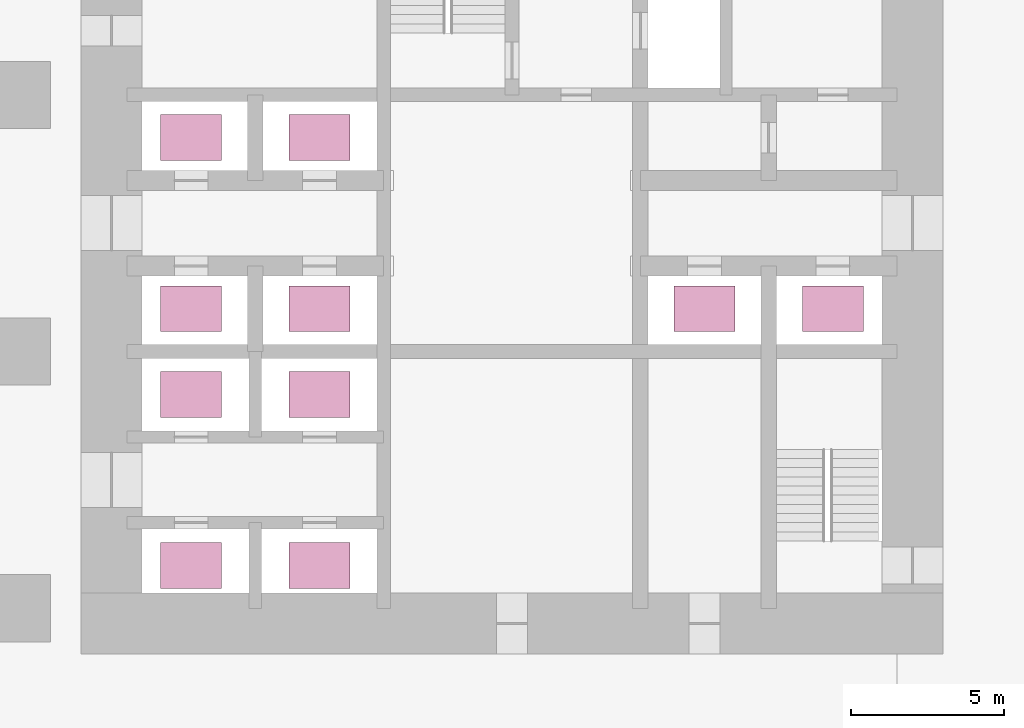
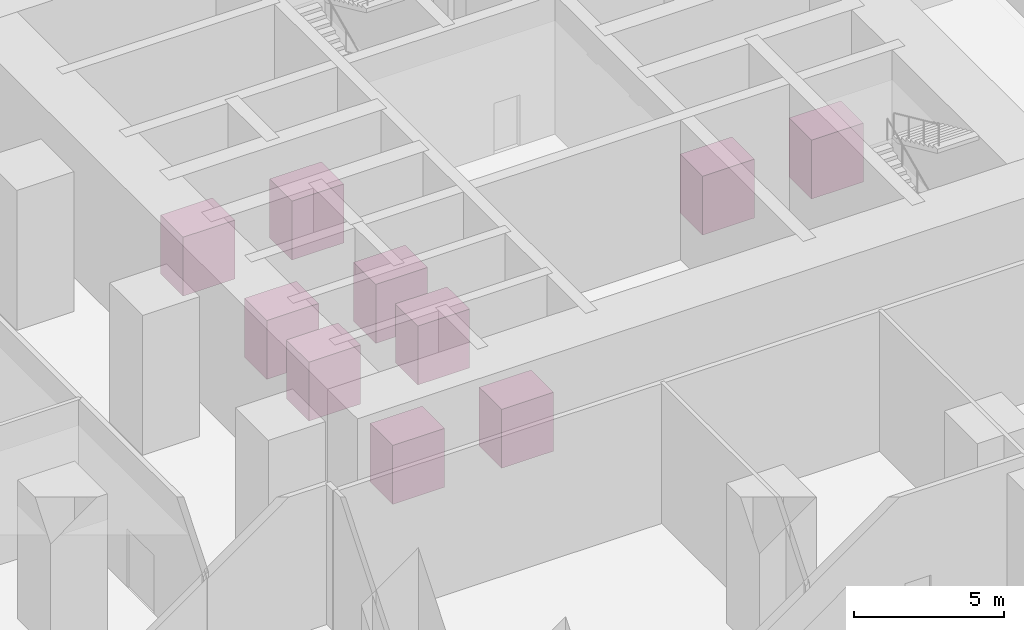
# One storey, part 26 of 26: 10 transport elements.
"""IFC4 building model written with IfcOpenShell, lengths in metres."""

from ifc_helpers import new_model, si_unit, direction, frame, origin, origin_2d, place, context, subcontext, project, spatial, rectangle, extrude, material, type_object, element, save


model = new_model("IFC4")

# Units and contexts
model_context = context("Model", 3, precision=1e-05, world=origin(), true_north=direction((0.0, 1.0)))
body_context = subcontext(model_context, "Body", "Model", "MODEL_VIEW")
ifc_project = project(units=[si_unit("LENGTHUNIT", "METRE"), si_unit("AREAUNIT", "SQUARE_METRE"), si_unit("VOLUMEUNIT", "CUBIC_METRE"), si_unit("PLANEANGLEUNIT", "RADIAN"), si_unit("MASSUNIT", "GRAM", prefix="KILO")], contexts=[model_context])

# Site, building, storey
site_placement = place(None, origin())
site = spatial("IfcSite", under=ifc_project, at=site_placement, CompositionType="ELEMENT")
building_placement = place(site_placement, origin())
building = spatial("IfcBuilding", under=site, at=building_placement, Name="Dunama Terrace Hotel", CompositionType="ELEMENT")
storey_placement = place(building_placement, origin())
storey = spatial("IfcBuildingStorey", under=building, at=storey_placement, Name="L00", CompositionType="ELEMENT", Elevation=0.0)

# Transport elements
ifc_material = material(Name="Passenger lift car")
transport_element_type = type_object("IfcTransportElementType", Name="Passenger lift 1600 kg", PredefinedType="ELEVATOR", material=ifc_material)
transport_element_1_placement = place(storey_placement, origin())
element("IfcTransportElement", 1, at=transport_element_1_placement, inside=storey, type_object=transport_element_type, Name="Lift PA1, type PL", PredefinedType="ELEVATOR", context=body_context, shape_type="SweptSolid", body=[
    extrude(rectangle(XDim=2.0, YDim=1.5, at=origin_2d()), frame((18.89990234375, 26.60009765625, 0.0), z_axis=(0.0, 0.0, 1.0), x_axis=(1.0, 0.0, 0.0)), (0.0, 0.0, 1.0), 2.39990234375),
])
transport_element_2_placement = place(storey_placement, origin())
element("IfcTransportElement", 2, at=transport_element_2_placement, inside=storey, type_object=transport_element_type, Name="Lift PA2, type PL", PredefinedType="ELEVATOR", context=body_context, shape_type="SweptSolid", body=[
    extrude(rectangle(XDim=2.0, YDim=1.5, at=origin_2d()), frame((23.10009765625, 26.60009765625, 0.0), z_axis=(0.0, 0.0, 1.0), x_axis=(1.0, 0.0, 0.0)), (0.0, 0.0, 1.0), 2.39990234375),
])
transport_element_3_placement = place(storey_placement, origin())
element("IfcTransportElement", 3, at=transport_element_3_placement, inside=storey, type_object=transport_element_type, Name="Lift PA3, type PL", PredefinedType="ELEVATOR", context=body_context, shape_type="SweptSolid", body=[
    extrude(rectangle(XDim=2.0, YDim=1.5, at=origin_2d()), frame((18.89990234375, 32.199951171875, 0.0), z_axis=(0.0, 0.0, 1.0), x_axis=(1.0, 0.0, 0.0)), (0.0, 0.0, 1.0), 2.39990234375),
])
transport_element_4_placement = place(storey_placement, origin())
element("IfcTransportElement", 4, at=transport_element_4_placement, inside=storey, type_object=transport_element_type, Name="Lift PA4, type PL", PredefinedType="ELEVATOR", context=body_context, shape_type="SweptSolid", body=[
    extrude(rectangle(XDim=2.0, YDim=1.5, at=origin_2d()), frame((23.10009765625, 32.199951171875, 0.0), z_axis=(0.0, 0.0, 1.0), x_axis=(1.0, 0.0, 0.0)), (0.0, 0.0, 1.0), 2.39990234375),
])
transport_element_5_placement = place(storey_placement, origin())
element("IfcTransportElement", 5, at=transport_element_5_placement, inside=storey, type_object=transport_element_type, Name="Lift PB1, type PL", PredefinedType="ELEVATOR", context=body_context, shape_type="SweptSolid", body=[
    extrude(rectangle(XDim=2.0, YDim=1.5, at=origin_2d()), frame((35.699951171875, 26.60009765625, 0.0), z_axis=(0.0, 0.0, 1.0), x_axis=(1.0, 0.0, 0.0)), (0.0, 0.0, 1.0), 2.39990234375),
])
transport_element_6_placement = place(storey_placement, origin())
element("IfcTransportElement", 6, at=transport_element_6_placement, inside=storey, type_object=transport_element_type, Name="Lift PB2, type PL", PredefinedType="ELEVATOR", context=body_context, shape_type="SweptSolid", body=[
    extrude(rectangle(XDim=2.0, YDim=1.5, at=origin_2d()), frame((39.89990234375, 26.60009765625, 0.0), z_axis=(0.0, 0.0, 1.0), x_axis=(1.0, 0.0, 0.0)), (0.0, 0.0, 1.0), 2.39990234375),
])
transport_element_7_placement = place(storey_placement, origin())
element("IfcTransportElement", 7, at=transport_element_7_placement, inside=storey, type_object=transport_element_type, Name="Lift PS1, type PL", PredefinedType="ELEVATOR", context=body_context, shape_type="SweptSolid", body=[
    extrude(rectangle(XDim=2.0, YDim=1.5, at=origin_2d()), frame((18.89990234375, 18.199951171875, 0.0), z_axis=(0.0, 0.0, 1.0), x_axis=(1.0, 0.0, 0.0)), (0.0, 0.0, 1.0), 2.39990234375),
])
transport_element_8_placement = place(storey_placement, origin())
element("IfcTransportElement", 8, at=transport_element_8_placement, inside=storey, type_object=transport_element_type, Name="Lift PS2, type PL", PredefinedType="ELEVATOR", context=body_context, shape_type="SweptSolid", body=[
    extrude(rectangle(XDim=2.0, YDim=1.5, at=origin_2d()), frame((23.10009765625, 18.199951171875, 0.0), z_axis=(0.0, 0.0, 1.0), x_axis=(1.0, 0.0, 0.0)), (0.0, 0.0, 1.0), 2.39990234375),
])
transport_element_9_placement = place(storey_placement, origin())
element("IfcTransportElement", 9, at=transport_element_9_placement, inside=storey, type_object=transport_element_type, Name="Lift PS3, type PL", PredefinedType="ELEVATOR", context=body_context, shape_type="SweptSolid", body=[
    extrude(rectangle(XDim=2.0, YDim=1.5, at=origin_2d()), frame((18.89990234375, 23.800048828125, 0.0), z_axis=(0.0, 0.0, 1.0), x_axis=(1.0, 0.0, 0.0)), (0.0, 0.0, 1.0), 2.39990234375),
])
transport_element_10_placement = place(storey_placement, origin())
element("IfcTransportElement", 10, at=transport_element_10_placement, inside=storey, type_object=transport_element_type, Name="Lift PS4, type PL", PredefinedType="ELEVATOR", context=body_context, shape_type="SweptSolid", body=[
    extrude(rectangle(XDim=2.0, YDim=1.5, at=origin_2d()), frame((23.10009765625, 23.800048828125, 0.0), z_axis=(0.0, 0.0, 1.0), x_axis=(1.0, 0.0, 0.0)), (0.0, 0.0, 1.0), 2.39990234375),
])

save(model, "model.ifc")
